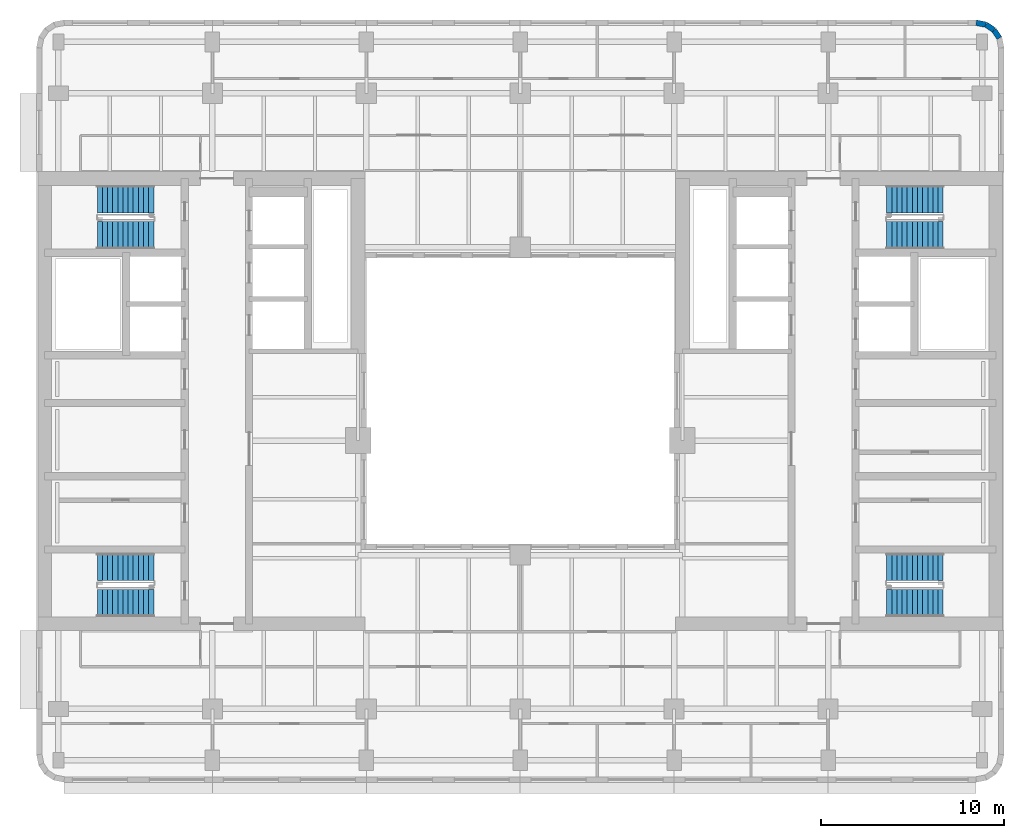
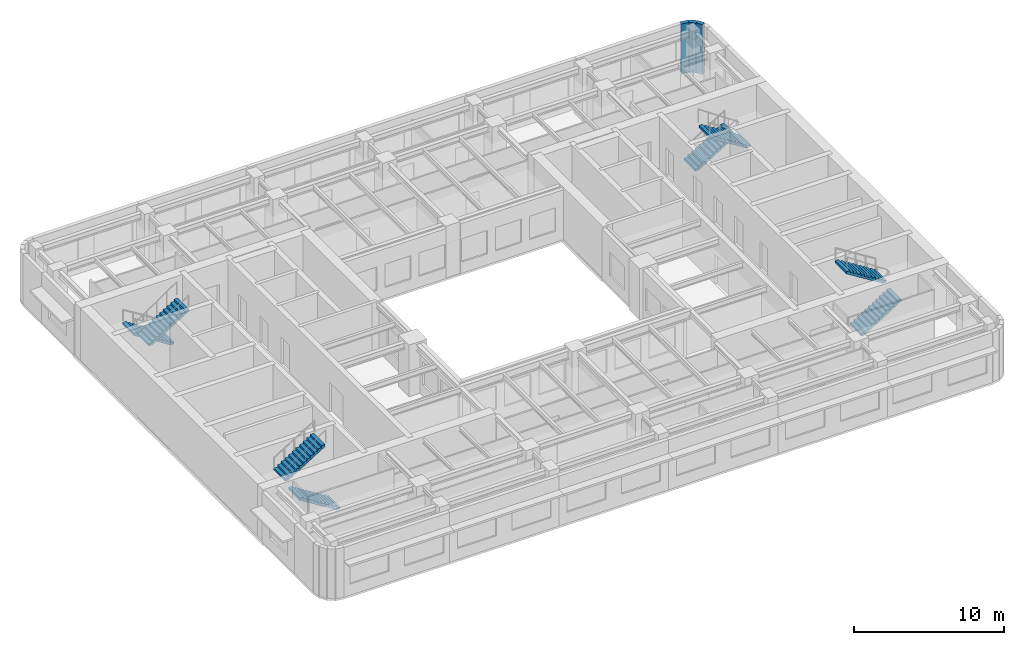
# One storey, part 8 of 11: 8 stair flights, 3 walls, 4 elements without a shape of their own.
"""IFC4 building model written with IfcOpenShell, lengths in metres."""

from ifc_helpers import new_model, si_unit, direction, frame, frame_2d, origin, place, context, subcontext, project, spatial, polyline, rectangle, outline, extrude, material, layer, layer_set, type_object, element, aggregate, save


model = new_model("IFC4")

# Units and contexts
model_context = context("Model", 3, precision=1e-05, world=origin(), true_north=direction((0.0, 1.0)))
body_context = subcontext(model_context, "Body", "Model", "MODEL_VIEW")
ifc_project = project(units=[si_unit("LENGTHUNIT", "METRE"), si_unit("AREAUNIT", "SQUARE_METRE"), si_unit("VOLUMEUNIT", "CUBIC_METRE"), si_unit("PLANEANGLEUNIT", "RADIAN"), si_unit("MASSUNIT", "GRAM", prefix="KILO")], contexts=[model_context])

# Site, building, storey
site_placement = place(None, origin())
site = spatial("IfcSite", under=ifc_project, at=site_placement, CompositionType="ELEMENT")
building_placement = place(site_placement, origin())
building = spatial("IfcBuilding", under=site, at=building_placement, Name="Claustro Exchange Tower", CompositionType="ELEMENT")
storey_placement = place(building_placement, frame((0.0, 0.0, 228.0)))
storey = spatial("IfcBuildingStorey", under=building, at=storey_placement, Name="L52", CompositionType="ELEMENT", Elevation=228.0)

# Walls
ifc_material_1 = material(Name="Concrete HA-40 (C40/50), precast, white cement, acid-etched", Category="concrete")
ifc_layer = layer(ifc_material_1, 0.300048828125)
ifc_layer_set = layer_set([ifc_layer], Name="Concrete HA-40 (C40/50), precast, white cement, acid-etched")
wall_type = type_object("IfcWallType", Name="PC1 300 precast concrete pier panel", PredefinedType="SOLIDWALL", material=ifc_layer_set)
wall_1_placement = place(storey_placement, frame((50.085205078125, 45.85009765625, 0.0), z_axis=(0.0, 0.0, 1.0), x_axis=(0.980702050465, -0.1955082817, 0.0)))
element("IfcWall", 1, at=wall_1_placement, inside=storey, type_object=wall_type, Name="Precast pier panel PC1 L52", PredefinedType="SOLIDWALL", context=body_context, shape_type="SweptSolid", body=[
    extrude(rectangle(XDim=0.540771484375, YDim=0.300048828125, at=frame_2d((0.2705078125, 0.0))), origin(), (0.0, 0.0, 1.0), 4.050048828125),
])
wall_2_placement = place(storey_placement, frame((50.615478515625, 45.744384765625, 0.0), z_axis=(0.0, 0.0, 1.0), x_axis=(0.831692711774, -0.555236195849, 0.0)))
element("IfcWall", 2, at=wall_2_placement, inside=storey, type_object=wall_type, Name="Precast pier panel PC1 L52", PredefinedType="SOLIDWALL", context=body_context, shape_type="SweptSolid", body=[
    extrude(rectangle(XDim=0.525390625, YDim=0.300048828125, at=frame_2d((0.2626953125, 0.0))), origin(), (0.0, 0.0, 1.0), 4.050048828125),
])
wall_3_placement = place(storey_placement, frame((51.052490234375, 45.45263671875, 0.0), z_axis=(0.0, 0.0, 1.0), x_axis=(0.55534295404, -0.831621430339, 0.0)))
element("IfcWall", 3, at=wall_3_placement, inside=storey, type_object=wall_type, Name="Precast pier panel PC1 L52", PredefinedType="SOLIDWALL", context=body_context, shape_type="SweptSolid", body=[
    extrude(rectangle(XDim=0.52587890625, YDim=0.300048828125, at=frame_2d((0.262939453125, 0.0))), origin(), (0.0, 0.0, 1.0), 4.050048828125),
])

# Stair, stair flights
ifc_material_2 = material(Name="Concrete HA-30 (C30/37), precast", Category="concrete")
stair_type = type_object("IfcStairType", Name="ST1 half-turn stair, 24 risers of 175", PredefinedType="HALF_TURN_STAIR", material=ifc_material_2)
stair_1_placement = place(storey_placement, origin())
stair_1 = element("IfcStair", 4, at=stair_1_placement, inside=storey, type_object=stair_type, Name="Stair STWA L52", PredefinedType="HALF_TURN_STAIR")
ifc_material_3 = material(Name="Concrete HA-30 (C30/37), precast", Category="concrete")
stair_flight_type = type_object("IfcStairFlightType", Name="SF12A straight flight, 12 risers of 175, 1500 wide", PredefinedType="STRAIGHT", material=ifc_material_3)
stair_flight_1_placement = place(storey_placement, frame((5.199951171875, 14.175048828125, 0.0), z_axis=(0.0, 0.0, 1.0), x_axis=(-1.0, 0.0, 0.0)))
stair_flight_1 = element("IfcStairFlight", 5, at=stair_flight_1_placement, type_object=stair_flight_type, Name="STWA flight 1", NumberOfRisers=12, NumberOfTreads=11, PredefinedType="STRAIGHT", RiserHeight=0.175, TreadLength=0.28, context=body_context, shape_type="SweptSolid", body=[
    extrude(outline(polyline([(0.0, 0.0), (0.0, 0.175048828125), (0.280029296875, 0.175048828125), (0.280029296875, 0.35009765625), (0.56005859375, 0.35009765625), (0.56005859375, 0.52490234375), (0.840087890625, 0.52490234375), (0.840087890625, 0.699951171875), (1.1201171875, 0.699951171875), (1.1201171875, 0.875), (1.39990234375, 0.875), (1.39990234375, 1.050048828125), (1.679931640625, 1.050048828125), (1.679931640625, 1.22509765625), (1.9599609375, 1.22509765625), (1.9599609375, 1.39990234375), (2.239990234375, 1.39990234375), (2.239990234375, 1.574951171875), (2.52001953125, 1.574951171875), (2.52001953125, 1.75), (2.800048828125, 1.75), (2.800048828125, 1.925048828125), (3.080078125, 1.925048828125), (3.080078125, 2.10009765625), (3.080078125, 1.748291015625), (0.28271484375, 0.0), (0.0, 0.0)])), frame((0.0, 0.75, 0.0), z_axis=(0.0, -1.0, 0.0), x_axis=(1.0, 0.0, 0.0)), (0.0, 0.0, 1.0), 1.5),
])
stair_flight_2_placement = place(storey_placement, frame((2.1201171875, 16.14990234375, 2.10009765625), z_axis=(0.0, 0.0, 1.0), x_axis=(1.0, 0.0, 0.0)))
stair_flight_2 = element("IfcStairFlight", 6, at=stair_flight_2_placement, type_object=stair_flight_type, Name="STWA flight 2", NumberOfRisers=12, NumberOfTreads=11, PredefinedType="STRAIGHT", RiserHeight=0.175, TreadLength=0.28, context=body_context, shape_type="SweptSolid", body=[
    extrude(outline(polyline([(0.0, 0.0), (0.0, 0.175048828125), (0.280029296875, 0.175048828125), (0.280029296875, 0.35009765625), (0.56005859375, 0.35009765625), (0.56005859375, 0.52490234375), (0.840087890625, 0.52490234375), (0.840087890625, 0.699951171875), (1.1201171875, 0.699951171875), (1.1201171875, 0.875), (1.39990234375, 0.875), (1.39990234375, 1.050048828125), (1.679931640625, 1.050048828125), (1.679931640625, 1.22509765625), (1.9599609375, 1.22509765625), (1.9599609375, 1.39990234375), (2.239990234375, 1.39990234375), (2.239990234375, 1.574951171875), (2.52001953125, 1.574951171875), (2.52001953125, 1.75), (2.800048828125, 1.75), (2.800048828125, 1.925048828125), (3.080078125, 1.925048828125), (3.080078125, 2.10009765625), (3.080078125, 1.748291015625), (0.28271484375, 0.0), (0.0, 0.0)])), frame((0.0, 0.75, 0.0), z_axis=(0.0, -1.0, 0.0), x_axis=(1.0, 0.0, 0.0)), (0.0, 0.0, 1.0), 1.5),
])
aggregate(stair_1, [stair_flight_1, stair_flight_2])

stair_2_placement = place(storey_placement, origin())
stair_2 = element("IfcStair", 7, at=stair_2_placement, inside=storey, type_object=stair_type, Name="Stair STWB L52", PredefinedType="HALF_TURN_STAIR")
stair_flight_3_placement = place(storey_placement, frame((5.199951171875, 36.22509765625, 0.0), z_axis=(0.0, 0.0, 1.0), x_axis=(-1.0, 0.0, 0.0)))
stair_flight_3 = element("IfcStairFlight", 8, at=stair_flight_3_placement, type_object=stair_flight_type, Name="STWB flight 1", NumberOfRisers=12, NumberOfTreads=11, PredefinedType="STRAIGHT", RiserHeight=0.175, TreadLength=0.28, context=body_context, shape_type="SweptSolid", body=[
    extrude(outline(polyline([(0.0, 0.0), (0.0, 0.175048828125), (0.280029296875, 0.175048828125), (0.280029296875, 0.35009765625), (0.56005859375, 0.35009765625), (0.56005859375, 0.52490234375), (0.840087890625, 0.52490234375), (0.840087890625, 0.699951171875), (1.1201171875, 0.699951171875), (1.1201171875, 0.875), (1.39990234375, 0.875), (1.39990234375, 1.050048828125), (1.679931640625, 1.050048828125), (1.679931640625, 1.22509765625), (1.9599609375, 1.22509765625), (1.9599609375, 1.39990234375), (2.239990234375, 1.39990234375), (2.239990234375, 1.574951171875), (2.52001953125, 1.574951171875), (2.52001953125, 1.75), (2.800048828125, 1.75), (2.800048828125, 1.925048828125), (3.080078125, 1.925048828125), (3.080078125, 2.10009765625), (3.080078125, 1.748291015625), (0.28271484375, 0.0), (0.0, 0.0)])), frame((0.0, 0.75, 0.0), z_axis=(0.0, -1.0, 0.0), x_axis=(1.0, 0.0, 0.0)), (0.0, 0.0, 1.0), 1.5),
])
stair_flight_4_placement = place(storey_placement, frame((2.1201171875, 34.25, 2.10009765625), z_axis=(0.0, 0.0, 1.0), x_axis=(1.0, 0.0, 0.0)))
stair_flight_4 = element("IfcStairFlight", 9, at=stair_flight_4_placement, type_object=stair_flight_type, Name="STWB flight 2", NumberOfRisers=12, NumberOfTreads=11, PredefinedType="STRAIGHT", RiserHeight=0.175, TreadLength=0.28, context=body_context, shape_type="SweptSolid", body=[
    extrude(outline(polyline([(0.0, 0.0), (0.0, 0.175048828125), (0.280029296875, 0.175048828125), (0.280029296875, 0.35009765625), (0.56005859375, 0.35009765625), (0.56005859375, 0.52490234375), (0.840087890625, 0.52490234375), (0.840087890625, 0.699951171875), (1.1201171875, 0.699951171875), (1.1201171875, 0.875), (1.39990234375, 0.875), (1.39990234375, 1.050048828125), (1.679931640625, 1.050048828125), (1.679931640625, 1.22509765625), (1.9599609375, 1.22509765625), (1.9599609375, 1.39990234375), (2.239990234375, 1.39990234375), (2.239990234375, 1.574951171875), (2.52001953125, 1.574951171875), (2.52001953125, 1.75), (2.800048828125, 1.75), (2.800048828125, 1.925048828125), (3.080078125, 1.925048828125), (3.080078125, 2.10009765625), (3.080078125, 1.748291015625), (0.28271484375, 0.0), (0.0, 0.0)])), frame((0.0, 0.75, 0.0), z_axis=(0.0, -1.0, 0.0), x_axis=(1.0, 0.0, 0.0)), (0.0, 0.0, 1.0), 1.5),
])
aggregate(stair_2, [stair_flight_3, stair_flight_4])

stair_3_placement = place(storey_placement, origin())
stair_3 = element("IfcStair", 10, at=stair_3_placement, inside=storey, type_object=stair_type, Name="Stair STEA L52", PredefinedType="HALF_TURN_STAIR")
stair_flight_5_placement = place(storey_placement, frame((45.199951171875, 14.175048828125, 0.0), z_axis=(0.0, 0.0, 1.0), x_axis=(1.0, 0.0, 0.0)))
stair_flight_5 = element("IfcStairFlight", 11, at=stair_flight_5_placement, type_object=stair_flight_type, Name="STEA flight 1", NumberOfRisers=12, NumberOfTreads=11, PredefinedType="STRAIGHT", RiserHeight=0.175, TreadLength=0.28, context=body_context, shape_type="SweptSolid", body=[
    extrude(outline(polyline([(0.0, 0.0), (0.0, 0.175048828125), (0.280029296875, 0.175048828125), (0.280029296875, 0.35009765625), (0.56005859375, 0.35009765625), (0.56005859375, 0.52490234375), (0.840087890625, 0.52490234375), (0.840087890625, 0.699951171875), (1.1201171875, 0.699951171875), (1.1201171875, 0.875), (1.39990234375, 0.875), (1.39990234375, 1.050048828125), (1.679931640625, 1.050048828125), (1.679931640625, 1.22509765625), (1.9599609375, 1.22509765625), (1.9599609375, 1.39990234375), (2.239990234375, 1.39990234375), (2.239990234375, 1.574951171875), (2.52001953125, 1.574951171875), (2.52001953125, 1.75), (2.800048828125, 1.75), (2.800048828125, 1.925048828125), (3.080078125, 1.925048828125), (3.080078125, 2.10009765625), (3.080078125, 1.748291015625), (0.28271484375, 0.0), (0.0, 0.0)])), frame((0.0, 0.75, 0.0), z_axis=(0.0, -1.0, 0.0), x_axis=(1.0, 0.0, 0.0)), (0.0, 0.0, 1.0), 1.5),
])
stair_flight_6_placement = place(storey_placement, frame((48.280029296875, 16.14990234375, 2.10009765625), z_axis=(0.0, 0.0, 1.0), x_axis=(-1.0, 0.0, 0.0)))
stair_flight_6 = element("IfcStairFlight", 12, at=stair_flight_6_placement, type_object=stair_flight_type, Name="STEA flight 2", NumberOfRisers=12, NumberOfTreads=11, PredefinedType="STRAIGHT", RiserHeight=0.175, TreadLength=0.28, context=body_context, shape_type="SweptSolid", body=[
    extrude(outline(polyline([(0.0, 0.0), (0.0, 0.175048828125), (0.280029296875, 0.175048828125), (0.280029296875, 0.35009765625), (0.56005859375, 0.35009765625), (0.56005859375, 0.52490234375), (0.840087890625, 0.52490234375), (0.840087890625, 0.699951171875), (1.1201171875, 0.699951171875), (1.1201171875, 0.875), (1.39990234375, 0.875), (1.39990234375, 1.050048828125), (1.679931640625, 1.050048828125), (1.679931640625, 1.22509765625), (1.9599609375, 1.22509765625), (1.9599609375, 1.39990234375), (2.239990234375, 1.39990234375), (2.239990234375, 1.574951171875), (2.52001953125, 1.574951171875), (2.52001953125, 1.75), (2.800048828125, 1.75), (2.800048828125, 1.925048828125), (3.080078125, 1.925048828125), (3.080078125, 2.10009765625), (3.080078125, 1.748291015625), (0.28271484375, 0.0), (0.0, 0.0)])), frame((0.0, 0.75, 0.0), z_axis=(0.0, -1.0, 0.0), x_axis=(1.0, 0.0, 0.0)), (0.0, 0.0, 1.0), 1.5),
])
aggregate(stair_3, [stair_flight_5, stair_flight_6])

stair_4_placement = place(storey_placement, origin())
stair_4 = element("IfcStair", 13, at=stair_4_placement, inside=storey, type_object=stair_type, Name="Stair STEB L52", PredefinedType="HALF_TURN_STAIR")
stair_flight_7_placement = place(storey_placement, frame((45.199951171875, 36.22509765625, 0.0), z_axis=(0.0, 0.0, 1.0), x_axis=(1.0, 0.0, 0.0)))
stair_flight_7 = element("IfcStairFlight", 14, at=stair_flight_7_placement, type_object=stair_flight_type, Name="STEB flight 1", NumberOfRisers=12, NumberOfTreads=11, PredefinedType="STRAIGHT", RiserHeight=0.175, TreadLength=0.28, context=body_context, shape_type="SweptSolid", body=[
    extrude(outline(polyline([(0.0, 0.0), (0.0, 0.175048828125), (0.280029296875, 0.175048828125), (0.280029296875, 0.35009765625), (0.56005859375, 0.35009765625), (0.56005859375, 0.52490234375), (0.840087890625, 0.52490234375), (0.840087890625, 0.699951171875), (1.1201171875, 0.699951171875), (1.1201171875, 0.875), (1.39990234375, 0.875), (1.39990234375, 1.050048828125), (1.679931640625, 1.050048828125), (1.679931640625, 1.22509765625), (1.9599609375, 1.22509765625), (1.9599609375, 1.39990234375), (2.239990234375, 1.39990234375), (2.239990234375, 1.574951171875), (2.52001953125, 1.574951171875), (2.52001953125, 1.75), (2.800048828125, 1.75), (2.800048828125, 1.925048828125), (3.080078125, 1.925048828125), (3.080078125, 2.10009765625), (3.080078125, 1.748291015625), (0.28271484375, 0.0), (0.0, 0.0)])), frame((0.0, 0.75, 0.0), z_axis=(0.0, -1.0, 0.0), x_axis=(1.0, 0.0, 0.0)), (0.0, 0.0, 1.0), 1.5),
])
stair_flight_8_placement = place(storey_placement, frame((48.280029296875, 34.25, 2.10009765625), z_axis=(0.0, 0.0, 1.0), x_axis=(-1.0, 0.0, 0.0)))
stair_flight_8 = element("IfcStairFlight", 15, at=stair_flight_8_placement, type_object=stair_flight_type, Name="STEB flight 2", NumberOfRisers=12, NumberOfTreads=11, PredefinedType="STRAIGHT", RiserHeight=0.175, TreadLength=0.28, context=body_context, shape_type="SweptSolid", body=[
    extrude(outline(polyline([(0.0, 0.0), (0.0, 0.175048828125), (0.280029296875, 0.175048828125), (0.280029296875, 0.35009765625), (0.56005859375, 0.35009765625), (0.56005859375, 0.52490234375), (0.840087890625, 0.52490234375), (0.840087890625, 0.699951171875), (1.1201171875, 0.699951171875), (1.1201171875, 0.875), (1.39990234375, 0.875), (1.39990234375, 1.050048828125), (1.679931640625, 1.050048828125), (1.679931640625, 1.22509765625), (1.9599609375, 1.22509765625), (1.9599609375, 1.39990234375), (2.239990234375, 1.39990234375), (2.239990234375, 1.574951171875), (2.52001953125, 1.574951171875), (2.52001953125, 1.75), (2.800048828125, 1.75), (2.800048828125, 1.925048828125), (3.080078125, 1.925048828125), (3.080078125, 2.10009765625), (3.080078125, 1.748291015625), (0.28271484375, 0.0), (0.0, 0.0)])), frame((0.0, 0.75, 0.0), z_axis=(0.0, -1.0, 0.0), x_axis=(1.0, 0.0, 0.0)), (0.0, 0.0, 1.0), 1.5),
])
aggregate(stair_4, [stair_flight_7, stair_flight_8])

save(model, "model.ifc")
